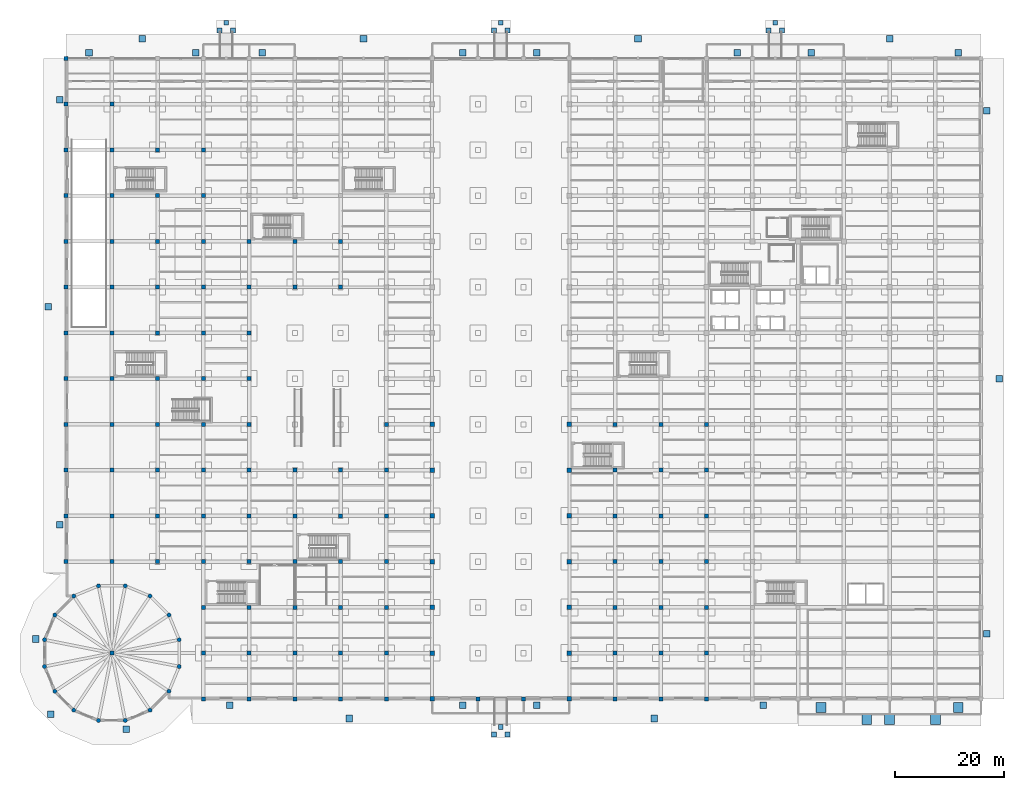
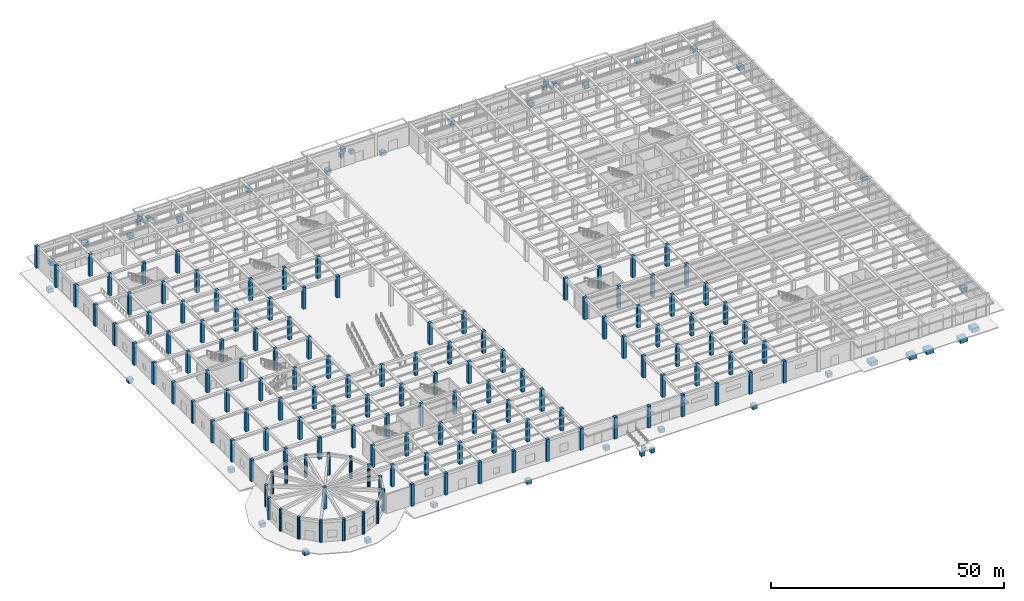
# One storey, part 1 of 43: 134 columns, 44 footings.
"""IFC4 building model written with IfcOpenShell, lengths in metres."""

from ifc_helpers import new_model, si_unit, direction, frame, origin, origin_2d, place, context, subcontext, project, spatial, rectangle, circle, extrude, material, layer, layer_set, material_profile, profile_set, type_object, element, save


model = new_model("IFC4")

# Units and contexts
model_context = context("Model", 3, precision=1e-05, world=origin(), true_north=direction((0.0, 1.0)))
body_context = subcontext(model_context, "Body", "Model", "MODEL_VIEW")
ifc_project = project(units=[si_unit("LENGTHUNIT", "METRE"), si_unit("AREAUNIT", "SQUARE_METRE"), si_unit("VOLUMEUNIT", "CUBIC_METRE"), si_unit("PLANEANGLEUNIT", "RADIAN"), si_unit("MASSUNIT", "GRAM", prefix="KILO")], contexts=[model_context])

# Site, building, storey
site_placement = place(None, origin())
site = spatial("IfcSite", under=ifc_project, at=site_placement, CompositionType="ELEMENT")
building_placement = place(site_placement, origin())
building = spatial("IfcBuilding", under=site, at=building_placement, Name="Almacenes y Pasaje Nevantli", CompositionType="ELEMENT")
storey_placement = place(building_placement, origin())
storey = spatial("IfcBuildingStorey", under=building, at=storey_placement, Name="L01", CompositionType="ELEMENT", Elevation=0.0)

# Footings
ifc_material_1 = material(Name="Concrete C45/55", Category="concrete")
ifc_layer_1 = layer(ifc_material_1, 1.10009765625)
ifc_layer_set_1 = layer_set([ifc_layer_1], Name="Concrete C45/55")
footing_type_1 = type_object("IfcFootingType", Name="FT-PC-18", PredefinedType="PILE_CAP", material=ifc_layer_set_1)
for number, where, z_axis, x_axis, name in (
    (1, (138.60009765625, -1.60009765625, -1.5400390625), (0.0, 0.0, 1.0), (1.0, 0.0, 0.0), "Loading Dock Apron Pad Footing #1"),
    (2, (151.199951171875, -3.800048828125, -1.5400390625), (0.0, 0.0, 1.0), (1.0, 0.0, 0.0), "Loading Dock Apron Pad Footing #2"),
    (3, (163.800048828125, -1.60009765625, -1.5400390625), (0.0, 0.0, 1.0), (1.0, 0.0, 0.0), "Loading Dock Apron Pad Footing #3"),
    (4, (147.0, -3.800048828125, -1.5400390625), (0.0, 0.0, 1.0), (1.0, 0.0, 0.0), "Loading Dock Apron Pad Footing #4"),
    (5, (159.60009765625, -3.800048828125, -1.5400390625), (0.0, 0.0, 1.0), (1.0, 0.0, 0.0), "Loading Dock Apron Pad Footing #5"),
):
    element("IfcFooting", number, at=place(storey_placement, frame(where, z_axis=z_axis, x_axis=x_axis)), inside=storey, type_object=footing_type_1, Name=name, PredefinedType="PILE_CAP", context=body_context, shape_type="SweptSolid", body=[
        extrude(rectangle(XDim=1.800048828125, YDim=1.800048828125, at=origin_2d()), origin(), (0.0, 0.0, 1.0), 1.10009765625),
    ])
ifc_material_2 = material(Name="Concrete C45/55", Category="concrete")
ifc_layer_2 = layer(ifc_material_2, 1.050048828125)
ifc_layer_set_2 = layer_set([ifc_layer_2], Name="Concrete C45/55")
footing_type_2 = type_object("IfcFootingType", Name="FT-PC-19", PredefinedType="PILE_CAP", material=ifc_layer_set_2)
for number, where, z_axis, x_axis, name in (
    (6, (28.14990234375, 122.75, -1.60986328125), (0.0, 0.0, 1.0), (1.0, 0.0, 0.0), "Entrance Ramp Pad Footing RP-03.1"),
    (7, (30.64990234375, 122.75, -1.60986328125), (0.0, 0.0, 1.0), (1.0, 0.0, 0.0), "Entrance Ramp Pad Footing RP-03.2"),
    (8, (29.39990234375, 124.14990234375, -1.60986328125), (0.0, 0.0, 1.0), (1.0, 0.0, 0.0), "Entrance Ramp Pad Footing RP-03.3"),
    (9, (78.550048828125, 122.75, -1.60986328125), (0.0, 0.0, 1.0), (1.0, 0.0, 0.0), "Entrance Ramp Pad Footing RP-04.1"),
    (10, (81.050048828125, 122.75, -1.60986328125), (0.0, 0.0, 1.0), (1.0, 0.0, 0.0), "Entrance Ramp Pad Footing RP-04.2"),
    (11, (79.800048828125, 124.14990234375, -1.60986328125), (0.0, 0.0, 1.0), (1.0, 0.0, 0.0), "Entrance Ramp Pad Footing RP-04.3"),
    (12, (128.949951171875, 122.75, -1.60986328125), (0.0, 0.0, 1.0), (1.0, 0.0, 0.0), "Entrance Ramp Pad Footing RP-05.1"),
    (13, (131.449951171875, 122.75, -1.60986328125), (0.0, 0.0, 1.0), (1.0, 0.0, 0.0), "Entrance Ramp Pad Footing RP-05.2"),
    (14, (130.199951171875, 124.14990234375, -1.60986328125), (0.0, 0.0, 1.0), (1.0, 0.0, 0.0), "Entrance Ramp Pad Footing RP-05.3"),
    (15, (78.550048828125, -6.550048828125, -1.60986328125), (0.0, 0.0, 1.0), (1.0, 0.0, 0.0), "Entrance Ramp Pad Footing RP-06.1"),
    (16, (81.050048828125, -6.550048828125, -1.60986328125), (0.0, 0.0, 1.0), (1.0, 0.0, 0.0), "Entrance Ramp Pad Footing RP-06.2"),
    (17, (79.800048828125, -5.14990234375, -1.60986328125), (0.0, 0.0, 1.0), (1.0, 0.0, 0.0), "Entrance Ramp Pad Footing RP-06.3"),
):
    element("IfcFooting", number, at=place(storey_placement, frame(where, z_axis=z_axis, x_axis=x_axis)), inside=storey, type_object=footing_type_2, Name=name, PredefinedType="PILE_CAP", context=body_context, shape_type="SweptSolid", body=[
        extrude(rectangle(XDim=0.89990234375, YDim=0.89990234375, at=origin_2d()), origin(), (0.0, 0.0, 1.0), 1.050048828125),
    ])
for number, where, z_axis, x_axis, name in (
    (18, (4.199951171875, 118.60009765625, -1.2900390625), (0.0, 0.0, 1.0), (1.0, 0.0, 0.0), "Boulevard Paving Plinth Pad Footing #1"),
    (19, (14.0, 121.199951171875, -1.2900390625), (0.0, 0.0, 1.0), (1.0, 0.0, 0.0), "Boulevard Paving Plinth Pad Footing #2"),
    (20, (23.800048828125, 118.60009765625, -1.2900390625), (0.0, 0.0, 1.0), (1.0, 0.0, 0.0), "Boulevard Paving Plinth Pad Footing #3"),
    (21, (36.0, 118.60009765625, -1.2900390625), (0.0, 0.0, 1.0), (1.0, 0.0, 0.0), "Boulevard Paving Plinth Pad Footing #4"),
    (22, (54.60009765625, 121.199951171875, -1.2900390625), (0.0, 0.0, 1.0), (1.0, 0.0, 0.0), "Boulevard Paving Plinth Pad Footing #5"),
    (23, (72.800048828125, 118.60009765625, -1.2900390625), (0.0, 0.0, 1.0), (1.0, 0.0, 0.0), "Boulevard Paving Plinth Pad Footing #6"),
    (24, (86.39990234375, 118.60009765625, -1.2900390625), (0.0, 0.0, 1.0), (1.0, 0.0, 0.0), "Boulevard Paving Plinth Pad Footing #7"),
    (25, (105.0, 121.199951171875, -1.2900390625), (0.0, 0.0, 1.0), (1.0, 0.0, 0.0), "Boulevard Paving Plinth Pad Footing #8"),
    (26, (123.199951171875, 118.60009765625, -1.2900390625), (0.0, 0.0, 1.0), (1.0, 0.0, 0.0), "Boulevard Paving Plinth Pad Footing #9"),
    (27, (136.800048828125, 118.60009765625, -1.2900390625), (0.0, 0.0, 1.0), (1.0, 0.0, 0.0), "Boulevard Paving Plinth Pad Footing #10"),
    (28, (151.199951171875, 121.199951171875, -1.2900390625), (0.0, 0.0, 1.0), (1.0, 0.0, 0.0), "Boulevard Paving Plinth Pad Footing #11"),
    (29, (163.800048828125, 118.60009765625, -1.2900390625), (0.0, 0.0, 1.0), (1.0, 0.0, 0.0), "Boulevard Paving Plinth Pad Footing #12"),
    (30, (30.0, -1.199951171875, -1.2900390625), (0.0, 0.0, 1.0), (1.0, 0.0, 0.0), "Boulevard Paving Plinth Pad Footing #13"),
    (31, (52.0, -3.60009765625, -1.2900390625), (0.0, 0.0, 1.0), (1.0, 0.0, 0.0), "Boulevard Paving Plinth Pad Footing #14"),
    (32, (72.800048828125, -1.199951171875, -1.2900390625), (0.0, 0.0, 1.0), (1.0, 0.0, 0.0), "Boulevard Paving Plinth Pad Footing #15"),
    (33, (86.39990234375, -1.199951171875, -1.2900390625), (0.0, 0.0, 1.0), (1.0, 0.0, 0.0), "Boulevard Paving Plinth Pad Footing #16"),
    (34, (108.0, -3.60009765625, -1.2900390625), (0.0, 0.0, 1.0), (1.0, 0.0, 0.0), "Boulevard Paving Plinth Pad Footing #17"),
    (35, (128.0, -1.199951171875, -1.2900390625), (0.0, 0.0, 1.0), (1.0, 0.0, 0.0), "Boulevard Paving Plinth Pad Footing #18"),
    (36, (-1.199951171875, 32.0, -1.2900390625), (0.0, 0.0, 1.0), (1.0, 0.0, 0.0), "Boulevard Paving Plinth Pad Footing #19"),
    (37, (-3.300048828125, 72.0, -1.2900390625), (0.0, 0.0, 1.0), (1.0, 0.0, 0.0), "Boulevard Paving Plinth Pad Footing #20"),
    (38, (-1.199951171875, 110.0, -1.2900390625), (0.0, 0.0, 1.0), (1.0, 0.0, 0.0), "Boulevard Paving Plinth Pad Footing #21"),
    (39, (169.0, 12.0, -1.2900390625), (0.0, 0.0, 1.0), (1.0, 0.0, 0.0), "Boulevard Paving Plinth Pad Footing #22"),
    (40, (171.300048828125, 58.800048828125, -1.2900390625), (0.0, 0.0, 1.0), (1.0, 0.0, 0.0), "Boulevard Paving Plinth Pad Footing #23"),
    (41, (169.0, 108.0, -1.2900390625), (0.0, 0.0, 1.0), (1.0, 0.0, 0.0), "Boulevard Paving Plinth Pad Footing #24"),
    (42, (-5.60009765625, 11.0, -1.2900390625), (0.0, 0.0, 1.0), (1.0, 0.0, 0.0), "Boulevard Paving Plinth Pad Footing #25"),
    (43, (-2.800048828125, -2.800048828125, -1.2900390625), (0.0, 0.0, 1.0), (1.0, 0.0, 0.0), "Boulevard Paving Plinth Pad Footing #26"),
    (44, (11.0, -5.60009765625, -1.2900390625), (0.0, 0.0, 1.0), (1.0, 0.0, 0.0), "Boulevard Paving Plinth Pad Footing #27"),
):
    element("IfcFooting", number, at=place(storey_placement, frame(where, z_axis=z_axis, x_axis=x_axis)), inside=storey, type_object=footing_type_2, Name=name, PredefinedType="PILE_CAP", context=body_context, shape_type="SweptSolid", body=[
        extrude(rectangle(XDim=1.199951171875, YDim=1.199951171875, at=origin_2d()), origin(), (0.0, 0.0, 1.0), 1.050048828125),
    ])

# Columns
ifc_material_3 = material(Name="Concrete C45/55", Category="concrete")
ifc_material_profile_1 = material_profile(ifc_material_3, rectangle(XDim=0.75, YDim=0.75, at=origin_2d()), Name="RC-COL-750x750")
ifc_profile_set_1 = profile_set([ifc_material_profile_1], Name="Concrete C45/55")
column_type_1 = type_object("IfcColumnType", Name="COL-RC-750", PredefinedType="COLUMN", material=ifc_profile_set_1)
for number, where, z_axis, x_axis, name in (
    (45, (0.0, 25.199951171875, 0.0), (0.0, 0.0, 1.0), (1.0, 0.0, 0.0), "L01 Reinforced Concrete Column CL-05 #681"),
    (46, (0.0, 33.60009765625, 0.0), (0.0, 0.0, 1.0), (1.0, 0.0, 0.0), "L01 Reinforced Concrete Column CL-05 #682"),
    (47, (0.0, 42.0, 0.0), (0.0, 0.0, 1.0), (1.0, 0.0, 0.0), "L01 Reinforced Concrete Column CL-05 #683"),
    (48, (0.0, 50.39990234375, 0.0), (0.0, 0.0, 1.0), (1.0, 0.0, 0.0), "L01 Reinforced Concrete Column CL-05 #684"),
    (49, (0.0, 58.800048828125, 0.0), (0.0, 0.0, 1.0), (1.0, 0.0, 0.0), "L01 Reinforced Concrete Column CL-05 #685"),
    (50, (0.0, 67.199951171875, 0.0), (0.0, 0.0, 1.0), (1.0, 0.0, 0.0), "L01 Reinforced Concrete Column CL-05 #686"),
    (51, (0.0, 75.60009765625, 0.0), (0.0, 0.0, 1.0), (1.0, 0.0, 0.0), "L01 Reinforced Concrete Column CL-05 #687"),
    (52, (0.0, 84.0, 0.0), (0.0, 0.0, 1.0), (1.0, 0.0, 0.0), "L01 Reinforced Concrete Column CL-05 #688"),
    (53, (0.0, 92.39990234375, 0.0), (0.0, 0.0, 1.0), (1.0, 0.0, 0.0), "L01 Reinforced Concrete Column CL-05 #689"),
    (54, (0.0, 100.800048828125, 0.0), (0.0, 0.0, 1.0), (1.0, 0.0, 0.0), "L01 Reinforced Concrete Column CL-05 #690"),
    (55, (0.0, 109.199951171875, 0.0), (0.0, 0.0, 1.0), (1.0, 0.0, 0.0), "L01 Reinforced Concrete Column CL-05 #691"),
    (56, (0.0, 117.60009765625, 0.0), (0.0, 0.0, 1.0), (1.0, 0.0, 0.0), "L01 Reinforced Concrete Column CL-05 #692"),
    (57, (8.39990234375, 8.39990234375, 0.0), (0.0, 0.0, 1.0), (1.0, 0.0, 0.0), "L01 Reinforced Concrete Column CL-05 #693"),
    (58, (8.39990234375, 25.199951171875, 0.0), (0.0, 0.0, 1.0), (1.0, 0.0, 0.0), "L01 Reinforced Concrete Column CL-05 #694"),
    (59, (8.39990234375, 33.60009765625, 0.0), (0.0, 0.0, 1.0), (1.0, 0.0, 0.0), "L01 Reinforced Concrete Column CL-05 #695"),
    (60, (8.39990234375, 42.0, 0.0), (0.0, 0.0, 1.0), (1.0, 0.0, 0.0), "L01 Reinforced Concrete Column CL-05 #696"),
    (61, (8.39990234375, 50.39990234375, 0.0), (0.0, 0.0, 1.0), (1.0, 0.0, 0.0), "L01 Reinforced Concrete Column CL-05 #697"),
    (62, (8.39990234375, 58.800048828125, 0.0), (0.0, 0.0, 1.0), (1.0, 0.0, 0.0), "L01 Reinforced Concrete Column CL-05 #698"),
    (63, (8.39990234375, 67.199951171875, 0.0), (0.0, 0.0, 1.0), (1.0, 0.0, 0.0), "L01 Reinforced Concrete Column CL-05 #699"),
    (64, (8.39990234375, 75.60009765625, 0.0), (0.0, 0.0, 1.0), (1.0, 0.0, 0.0), "L01 Reinforced Concrete Column CL-05 #700"),
    (65, (8.39990234375, 84.0, 0.0), (0.0, 0.0, 1.0), (1.0, 0.0, 0.0), "L01 Reinforced Concrete Column CL-05 #701"),
    (66, (8.39990234375, 92.39990234375, 0.0), (0.0, 0.0, 1.0), (1.0, 0.0, 0.0), "L01 Reinforced Concrete Column CL-05 #702"),
    (67, (8.39990234375, 100.800048828125, 0.0), (0.0, 0.0, 1.0), (1.0, 0.0, 0.0), "L01 Reinforced Concrete Column CL-05 #703"),
    (68, (8.39990234375, 109.199951171875, 0.0), (0.0, 0.0, 1.0), (1.0, 0.0, 0.0), "L01 Reinforced Concrete Column CL-05 #704"),
    (69, (16.800048828125, 25.199951171875, 0.0), (0.0, 0.0, 1.0), (1.0, 0.0, 0.0), "L01 Reinforced Concrete Column CL-05 #706"),
    (70, (16.800048828125, 33.60009765625, 0.0), (0.0, 0.0, 1.0), (1.0, 0.0, 0.0), "L01 Reinforced Concrete Column CL-05 #707"),
    (71, (16.800048828125, 42.0, 0.0), (0.0, 0.0, 1.0), (1.0, 0.0, 0.0), "L01 Reinforced Concrete Column CL-05 #708"),
    (72, (16.800048828125, 50.39990234375, 0.0), (0.0, 0.0, 1.0), (1.0, 0.0, 0.0), "L01 Reinforced Concrete Column CL-05 #709"),
    (73, (16.800048828125, 58.800048828125, 0.0), (0.0, 0.0, 1.0), (1.0, 0.0, 0.0), "L01 Reinforced Concrete Column CL-05 #710"),
    (74, (16.800048828125, 67.199951171875, 0.0), (0.0, 0.0, 1.0), (1.0, 0.0, 0.0), "L01 Reinforced Concrete Column CL-05 #711"),
    (75, (16.800048828125, 75.60009765625, 0.0), (0.0, 0.0, 1.0), (1.0, 0.0, 0.0), "L01 Reinforced Concrete Column CL-05 #712"),
    (76, (16.800048828125, 84.0, 0.0), (0.0, 0.0, 1.0), (1.0, 0.0, 0.0), "L01 Reinforced Concrete Column CL-05 #713"),
    (77, (16.800048828125, 92.39990234375, 0.0), (0.0, 0.0, 1.0), (1.0, 0.0, 0.0), "L01 Reinforced Concrete Column CL-05 #714"),
    (78, (16.800048828125, 100.800048828125, 0.0), (0.0, 0.0, 1.0), (1.0, 0.0, 0.0), "L01 Reinforced Concrete Column CL-05 #715"),
    (79, (25.199951171875, 0.0, 0.0), (0.0, 0.0, 1.0), (1.0, 0.0, 0.0), "L01 Reinforced Concrete Column CL-05 #718"),
    (80, (25.199951171875, 8.39990234375, 0.0), (0.0, 0.0, 1.0), (1.0, 0.0, 0.0), "L01 Reinforced Concrete Column CL-05 #719"),
    (81, (25.199951171875, 16.800048828125, 0.0), (0.0, 0.0, 1.0), (1.0, 0.0, 0.0), "L01 Reinforced Concrete Column CL-05 #720"),
    (82, (25.199951171875, 25.199951171875, 0.0), (0.0, 0.0, 1.0), (1.0, 0.0, 0.0), "L01 Reinforced Concrete Column CL-05 #721"),
    (83, (25.199951171875, 33.60009765625, 0.0), (0.0, 0.0, 1.0), (1.0, 0.0, 0.0), "L01 Reinforced Concrete Column CL-05 #722"),
    (84, (25.199951171875, 42.0, 0.0), (0.0, 0.0, 1.0), (1.0, 0.0, 0.0), "L01 Reinforced Concrete Column CL-05 #723"),
    (85, (25.199951171875, 50.39990234375, 0.0), (0.0, 0.0, 1.0), (1.0, 0.0, 0.0), "L01 Reinforced Concrete Column CL-05 #724"),
    (86, (25.199951171875, 58.800048828125, 0.0), (0.0, 0.0, 1.0), (1.0, 0.0, 0.0), "L01 Reinforced Concrete Column CL-05 #725"),
    (87, (25.199951171875, 67.199951171875, 0.0), (0.0, 0.0, 1.0), (1.0, 0.0, 0.0), "L01 Reinforced Concrete Column CL-05 #726"),
    (88, (25.199951171875, 75.60009765625, 0.0), (0.0, 0.0, 1.0), (1.0, 0.0, 0.0), "L01 Reinforced Concrete Column CL-05 #727"),
    (89, (25.199951171875, 84.0, 0.0), (0.0, 0.0, 1.0), (1.0, 0.0, 0.0), "L01 Reinforced Concrete Column CL-05 #728"),
    (90, (25.199951171875, 92.39990234375, 0.0), (0.0, 0.0, 1.0), (1.0, 0.0, 0.0), "L01 Reinforced Concrete Column CL-05 #729"),
    (91, (25.199951171875, 100.800048828125, 0.0), (0.0, 0.0, 1.0), (1.0, 0.0, 0.0), "L01 Reinforced Concrete Column CL-05 #730"),
    (92, (33.60009765625, 0.0, 0.0), (0.0, 0.0, 1.0), (1.0, 0.0, 0.0), "L01 Reinforced Concrete Column CL-05 #733"),
    (93, (33.60009765625, 8.39990234375, 0.0), (0.0, 0.0, 1.0), (1.0, 0.0, 0.0), "L01 Reinforced Concrete Column CL-05 #734"),
    (94, (33.60009765625, 16.800048828125, 0.0), (0.0, 0.0, 1.0), (1.0, 0.0, 0.0), "L01 Reinforced Concrete Column CL-05 #735"),
    (95, (33.60009765625, 25.199951171875, 0.0), (0.0, 0.0, 1.0), (1.0, 0.0, 0.0), "L01 Reinforced Concrete Column CL-05 #736"),
    (96, (33.60009765625, 33.60009765625, 0.0), (0.0, 0.0, 1.0), (1.0, 0.0, 0.0), "L01 Reinforced Concrete Column CL-05 #737"),
    (97, (33.60009765625, 42.0, 0.0), (0.0, 0.0, 1.0), (1.0, 0.0, 0.0), "L01 Reinforced Concrete Column CL-05 #738"),
    (98, (33.60009765625, 50.39990234375, 0.0), (0.0, 0.0, 1.0), (1.0, 0.0, 0.0), "L01 Reinforced Concrete Column CL-05 #739"),
    (99, (33.60009765625, 58.800048828125, 0.0), (0.0, 0.0, 1.0), (1.0, 0.0, 0.0), "L01 Reinforced Concrete Column CL-05 #740"),
    (100, (33.60009765625, 67.199951171875, 0.0), (0.0, 0.0, 1.0), (1.0, 0.0, 0.0), "L01 Reinforced Concrete Column CL-05 #741"),
    (101, (33.60009765625, 75.60009765625, 0.0), (0.0, 0.0, 1.0), (1.0, 0.0, 0.0), "L01 Reinforced Concrete Column CL-05 #742"),
    (102, (33.60009765625, 84.0, 0.0), (0.0, 0.0, 1.0), (1.0, 0.0, 0.0), "L01 Reinforced Concrete Column CL-05 #743"),
    (103, (42.0, 0.0, 0.0), (0.0, 0.0, 1.0), (1.0, 0.0, 0.0), "L01 Reinforced Concrete Column CL-05 #748"),
    (104, (42.0, 8.39990234375, 0.0), (0.0, 0.0, 1.0), (1.0, 0.0, 0.0), "L01 Reinforced Concrete Column CL-05 #749"),
    (105, (42.0, 16.800048828125, 0.0), (0.0, 0.0, 1.0), (1.0, 0.0, 0.0), "L01 Reinforced Concrete Column CL-05 #750"),
    (106, (42.0, 25.199951171875, 0.0), (0.0, 0.0, 1.0), (1.0, 0.0, 0.0), "L01 Reinforced Concrete Column CL-05 #751"),
    (107, (42.0, 33.60009765625, 0.0), (0.0, 0.0, 1.0), (1.0, 0.0, 0.0), "L01 Reinforced Concrete Column CL-05 #752"),
    (108, (42.0, 42.0, 0.0), (0.0, 0.0, 1.0), (1.0, 0.0, 0.0), "L01 Reinforced Concrete Column CL-05 #753"),
    (109, (42.0, 75.60009765625, 0.0), (0.0, 0.0, 1.0), (1.0, 0.0, 0.0), "L01 Reinforced Concrete Column CL-05 #754"),
    (110, (42.0, 84.0, 0.0), (0.0, 0.0, 1.0), (1.0, 0.0, 0.0), "L01 Reinforced Concrete Column CL-05 #755"),
    (111, (50.39990234375, 0.0, 0.0), (0.0, 0.0, 1.0), (1.0, 0.0, 0.0), "L01 Reinforced Concrete Column CL-05 #760"),
    (112, (50.39990234375, 8.39990234375, 0.0), (0.0, 0.0, 1.0), (1.0, 0.0, 0.0), "L01 Reinforced Concrete Column CL-05 #761"),
    (113, (50.39990234375, 16.800048828125, 0.0), (0.0, 0.0, 1.0), (1.0, 0.0, 0.0), "L01 Reinforced Concrete Column CL-05 #762"),
    (114, (50.39990234375, 25.199951171875, 0.0), (0.0, 0.0, 1.0), (1.0, 0.0, 0.0), "L01 Reinforced Concrete Column CL-05 #763"),
    (115, (50.39990234375, 33.60009765625, 0.0), (0.0, 0.0, 1.0), (1.0, 0.0, 0.0), "L01 Reinforced Concrete Column CL-05 #764"),
    (116, (50.39990234375, 42.0, 0.0), (0.0, 0.0, 1.0), (1.0, 0.0, 0.0), "L01 Reinforced Concrete Column CL-05 #765"),
    (117, (50.39990234375, 75.60009765625, 0.0), (0.0, 0.0, 1.0), (1.0, 0.0, 0.0), "L01 Reinforced Concrete Column CL-05 #766"),
    (118, (50.39990234375, 84.0, 0.0), (0.0, 0.0, 1.0), (1.0, 0.0, 0.0), "L01 Reinforced Concrete Column CL-05 #767"),
    (119, (58.800048828125, 0.0, 0.0), (0.0, 0.0, 1.0), (1.0, 0.0, 0.0), "L01 Reinforced Concrete Column CL-05 #772"),
    (120, (58.800048828125, 8.39990234375, 0.0), (0.0, 0.0, 1.0), (1.0, 0.0, 0.0), "L01 Reinforced Concrete Column CL-05 #773"),
    (121, (58.800048828125, 16.800048828125, 0.0), (0.0, 0.0, 1.0), (1.0, 0.0, 0.0), "L01 Reinforced Concrete Column CL-05 #774"),
    (122, (58.800048828125, 25.199951171875, 0.0), (0.0, 0.0, 1.0), (1.0, 0.0, 0.0), "L01 Reinforced Concrete Column CL-05 #775"),
    (123, (58.800048828125, 33.60009765625, 0.0), (0.0, 0.0, 1.0), (1.0, 0.0, 0.0), "L01 Reinforced Concrete Column CL-05 #776"),
    (124, (58.800048828125, 42.0, 0.0), (0.0, 0.0, 1.0), (1.0, 0.0, 0.0), "L01 Reinforced Concrete Column CL-05 #777"),
    (125, (58.800048828125, 50.39990234375, 0.0), (0.0, 0.0, 1.0), (1.0, 0.0, 0.0), "L01 Reinforced Concrete Column CL-05 #778"),
    (126, (75.60009765625, 0.0, 0.0), (0.0, 0.0, 1.0), (1.0, 0.0, 0.0), "L01 Reinforced Concrete Column CL-05 #802"),
    (127, (84.0, 0.0, 0.0), (0.0, 0.0, 1.0), (1.0, 0.0, 0.0), "L01 Reinforced Concrete Column CL-05 #804"),
    (128, (100.800048828125, 0.0, 0.0), (0.0, 0.0, 1.0), (1.0, 0.0, 0.0), "L01 Reinforced Concrete Column CL-05 #821"),
    (129, (100.800048828125, 8.39990234375, 0.0), (0.0, 0.0, 1.0), (1.0, 0.0, 0.0), "L01 Reinforced Concrete Column CL-05 #822"),
    (130, (100.800048828125, 16.800048828125, 0.0), (0.0, 0.0, 1.0), (1.0, 0.0, 0.0), "L01 Reinforced Concrete Column CL-05 #823"),
    (131, (100.800048828125, 25.199951171875, 0.0), (0.0, 0.0, 1.0), (1.0, 0.0, 0.0), "L01 Reinforced Concrete Column CL-05 #824"),
    (132, (100.800048828125, 33.60009765625, 0.0), (0.0, 0.0, 1.0), (1.0, 0.0, 0.0), "L01 Reinforced Concrete Column CL-05 #825"),
    (133, (100.800048828125, 42.0, 0.0), (0.0, 0.0, 1.0), (1.0, 0.0, 0.0), "L01 Reinforced Concrete Column CL-05 #826"),
    (134, (100.800048828125, 50.39990234375, 0.0), (0.0, 0.0, 1.0), (1.0, 0.0, 0.0), "L01 Reinforced Concrete Column CL-05 #827"),
    (135, (109.199951171875, 0.0, 0.0), (0.0, 0.0, 1.0), (1.0, 0.0, 0.0), "L01 Reinforced Concrete Column CL-05 #836"),
    (136, (109.199951171875, 8.39990234375, 0.0), (0.0, 0.0, 1.0), (1.0, 0.0, 0.0), "L01 Reinforced Concrete Column CL-05 #837"),
    (137, (109.199951171875, 16.800048828125, 0.0), (0.0, 0.0, 1.0), (1.0, 0.0, 0.0), "L01 Reinforced Concrete Column CL-05 #838"),
    (138, (109.199951171875, 25.199951171875, 0.0), (0.0, 0.0, 1.0), (1.0, 0.0, 0.0), "L01 Reinforced Concrete Column CL-05 #839"),
    (139, (109.199951171875, 33.60009765625, 0.0), (0.0, 0.0, 1.0), (1.0, 0.0, 0.0), "L01 Reinforced Concrete Column CL-05 #840"),
    (140, (109.199951171875, 42.0, 0.0), (0.0, 0.0, 1.0), (1.0, 0.0, 0.0), "L01 Reinforced Concrete Column CL-05 #841"),
    (141, (109.199951171875, 50.39990234375, 0.0), (0.0, 0.0, 1.0), (1.0, 0.0, 0.0), "L01 Reinforced Concrete Column CL-05 #842"),
    (142, (117.60009765625, 0.0, 0.0), (0.0, 0.0, 1.0), (1.0, 0.0, 0.0), "L01 Reinforced Concrete Column CL-05 #851"),
    (143, (117.60009765625, 8.39990234375, 0.0), (0.0, 0.0, 1.0), (1.0, 0.0, 0.0), "L01 Reinforced Concrete Column CL-05 #852"),
    (144, (117.60009765625, 16.800048828125, 0.0), (0.0, 0.0, 1.0), (1.0, 0.0, 0.0), "L01 Reinforced Concrete Column CL-05 #853"),
    (145, (117.60009765625, 25.199951171875, 0.0), (0.0, 0.0, 1.0), (1.0, 0.0, 0.0), "L01 Reinforced Concrete Column CL-05 #854"),
    (146, (117.60009765625, 33.60009765625, 0.0), (0.0, 0.0, 1.0), (1.0, 0.0, 0.0), "L01 Reinforced Concrete Column CL-05 #855"),
    (147, (117.60009765625, 42.0, 0.0), (0.0, 0.0, 1.0), (1.0, 0.0, 0.0), "L01 Reinforced Concrete Column CL-05 #856"),
    (148, (117.60009765625, 50.39990234375, 0.0), (0.0, 0.0, 1.0), (1.0, 0.0, 0.0), "L01 Reinforced Concrete Column CL-05 #857"),
):
    element("IfcColumn", number, at=place(storey_placement, frame(where, z_axis=z_axis, x_axis=x_axis)), inside=storey, type_object=column_type_1, Name=name, PredefinedType="COLUMN", context=body_context, shape_type="SweptSolid", body=[
        extrude(rectangle(XDim=0.75, YDim=0.75, at=origin_2d()), origin(), (0.0, 0.0, 1.0), 5.699951171875),
    ])
ifc_material_4 = material(Name="Concrete C45/55", Category="concrete")
ifc_material_profile_2 = material_profile(ifc_material_4, rectangle(XDim=0.800048828125, YDim=0.800048828125, at=origin_2d()), Name="RC-COL-800x800")
ifc_profile_set_2 = profile_set([ifc_material_profile_2], Name="Concrete C45/55")
column_type_2 = type_object("IfcColumnType", Name="COL-RC-800", PredefinedType="COLUMN", material=ifc_profile_set_2)
for number, where, z_axis, x_axis, name in (
    (149, (67.199951171875, 0.0, 0.0), (0.0, 0.0, 1.0), (1.0, 0.0, 0.0), "L01 Reinforced Concrete Column CL-04 #787"),
    (150, (67.199951171875, 8.39990234375, 0.0), (0.0, 0.0, 1.0), (1.0, 0.0, 0.0), "L01 Reinforced Concrete Column CL-04 #788"),
    (151, (67.199951171875, 16.800048828125, 0.0), (0.0, 0.0, 1.0), (1.0, 0.0, 0.0), "L01 Reinforced Concrete Column CL-04 #789"),
    (152, (67.199951171875, 25.199951171875, 0.0), (0.0, 0.0, 1.0), (1.0, 0.0, 0.0), "L01 Reinforced Concrete Column CL-04 #790"),
    (153, (67.199951171875, 33.60009765625, 0.0), (0.0, 0.0, 1.0), (1.0, 0.0, 0.0), "L01 Reinforced Concrete Column CL-04 #791"),
    (154, (67.199951171875, 42.0, 0.0), (0.0, 0.0, 1.0), (1.0, 0.0, 0.0), "L01 Reinforced Concrete Column CL-04 #792"),
    (155, (67.199951171875, 50.39990234375, 0.0), (0.0, 0.0, 1.0), (1.0, 0.0, 0.0), "L01 Reinforced Concrete Column CL-04 #793"),
    (156, (92.39990234375, 0.0, 0.0), (0.0, 0.0, 1.0), (1.0, 0.0, 0.0), "L01 Reinforced Concrete Column CL-04 #806"),
    (157, (92.39990234375, 8.39990234375, 0.0), (0.0, 0.0, 1.0), (1.0, 0.0, 0.0), "L01 Reinforced Concrete Column CL-04 #807"),
    (158, (92.39990234375, 16.800048828125, 0.0), (0.0, 0.0, 1.0), (1.0, 0.0, 0.0), "L01 Reinforced Concrete Column CL-04 #808"),
    (159, (92.39990234375, 25.199951171875, 0.0), (0.0, 0.0, 1.0), (1.0, 0.0, 0.0), "L01 Reinforced Concrete Column CL-04 #809"),
    (160, (92.39990234375, 33.60009765625, 0.0), (0.0, 0.0, 1.0), (1.0, 0.0, 0.0), "L01 Reinforced Concrete Column CL-04 #810"),
    (161, (92.39990234375, 42.0, 0.0), (0.0, 0.0, 1.0), (1.0, 0.0, 0.0), "L01 Reinforced Concrete Column CL-04 #811"),
    (162, (92.39990234375, 50.39990234375, 0.0), (0.0, 0.0, 1.0), (1.0, 0.0, 0.0), "L01 Reinforced Concrete Column CL-04 #812"),
):
    element("IfcColumn", number, at=place(storey_placement, frame(where, z_axis=z_axis, x_axis=x_axis)), inside=storey, type_object=column_type_2, Name=name, PredefinedType="COLUMN", context=body_context, shape_type="SweptSolid", body=[
        extrude(rectangle(XDim=0.800048828125, YDim=0.800048828125, at=origin_2d()), origin(), (0.0, 0.0, 1.0), 5.699951171875),
    ])
ifc_material_5 = material(Name="Concrete C45/55", Category="concrete")
ifc_material_profile_3 = material_profile(ifc_material_5, circle(Radius=0.375, at=origin_2d()), Name="RC-COL-D750")
ifc_profile_set_3 = profile_set([ifc_material_profile_3], Name="Concrete C45/55")
column_type_3 = type_object("IfcColumnType", Name="COL-RC-D750", PredefinedType="COLUMN", material=ifc_profile_set_3)
for number, where, z_axis, x_axis, name in (
    (163, (20.7578125, 10.858154296875, 0.0), (0.0, 0.0, 1.0), (1.0, 0.0, 0.0), "L01 Corner Rotunda Circular Column CR-01"),
    (164, (18.87646484375, 15.400146484375, 0.0), (0.0, 0.0, 1.0), (1.0, 0.0, 0.0), "L01 Corner Rotunda Circular Column CR-02"),
    (165, (15.400146484375, 18.87646484375, 0.0), (0.0, 0.0, 1.0), (1.0, 0.0, 0.0), "L01 Corner Rotunda Circular Column CR-03"),
    (166, (10.858154296875, 20.7578125, 0.0), (0.0, 0.0, 1.0), (1.0, 0.0, 0.0), "L01 Corner Rotunda Circular Column CR-04"),
    (167, (5.94189453125, 20.7578125, 0.0), (0.0, 0.0, 1.0), (1.0, 0.0, 0.0), "L01 Corner Rotunda Circular Column CR-05"),
    (168, (1.39990234375, 18.87646484375, 0.0), (0.0, 0.0, 1.0), (1.0, 0.0, 0.0), "L01 Corner Rotunda Circular Column CR-06"),
    (169, (-2.076416015625, 15.400146484375, 0.0), (0.0, 0.0, 1.0), (1.0, 0.0, 0.0), "L01 Corner Rotunda Circular Column CR-07"),
    (170, (-3.9580078125, 10.858154296875, 0.0), (0.0, 0.0, 1.0), (1.0, 0.0, 0.0), "L01 Corner Rotunda Circular Column CR-08"),
    (171, (-3.9580078125, 5.94189453125, 0.0), (0.0, 0.0, 1.0), (1.0, 0.0, 0.0), "L01 Corner Rotunda Circular Column CR-09"),
    (172, (-2.076416015625, 1.39990234375, 0.0), (0.0, 0.0, 1.0), (1.0, 0.0, 0.0), "L01 Corner Rotunda Circular Column CR-10"),
    (173, (1.39990234375, -2.076416015625, 0.0), (0.0, 0.0, 1.0), (1.0, 0.0, 0.0), "L01 Corner Rotunda Circular Column CR-11"),
    (174, (5.94189453125, -3.9580078125, 0.0), (0.0, 0.0, 1.0), (1.0, 0.0, 0.0), "L01 Corner Rotunda Circular Column CR-12"),
    (175, (10.858154296875, -3.9580078125, 0.0), (0.0, 0.0, 1.0), (1.0, 0.0, 0.0), "L01 Corner Rotunda Circular Column CR-13"),
    (176, (15.400146484375, -2.076416015625, 0.0), (0.0, 0.0, 1.0), (1.0, 0.0, 0.0), "L01 Corner Rotunda Circular Column CR-14"),
    (177, (18.87646484375, 1.39990234375, 0.0), (0.0, 0.0, 1.0), (1.0, 0.0, 0.0), "L01 Corner Rotunda Circular Column CR-15"),
    (178, (20.7578125, 5.94189453125, 0.0), (0.0, 0.0, 1.0), (1.0, 0.0, 0.0), "L01 Corner Rotunda Circular Column CR-16"),
):
    element("IfcColumn", number, at=place(storey_placement, frame(where, z_axis=z_axis, x_axis=x_axis)), inside=storey, type_object=column_type_3, Name=name, PredefinedType="COLUMN", context=body_context, shape_type="SweptSolid", body=[
        extrude(circle(Radius=0.375, at=origin_2d()), origin(), (0.0, 0.0, 1.0), 5.699951171875),
    ])

save(model, "model.ifc")
